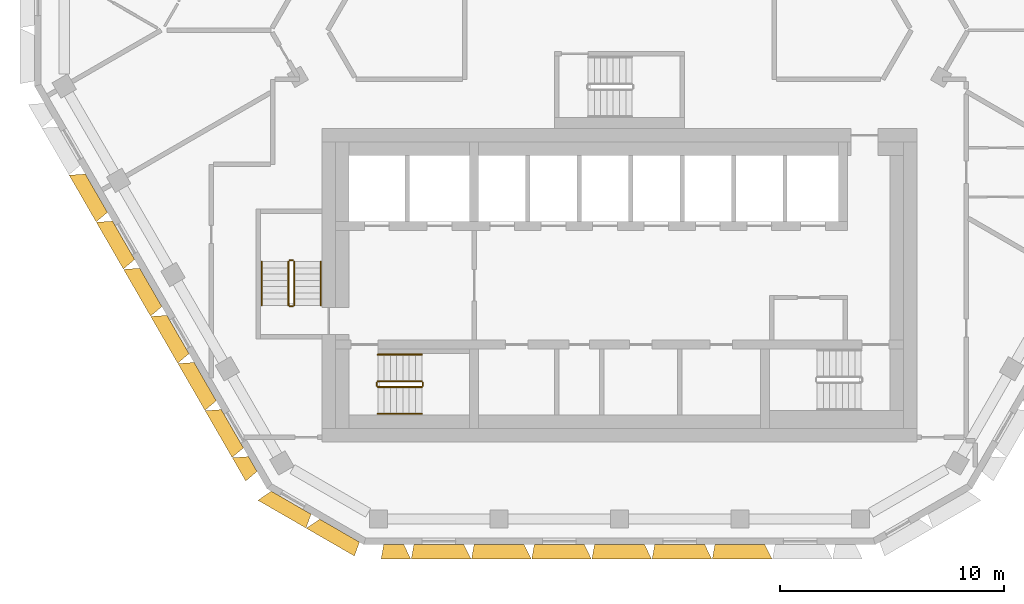
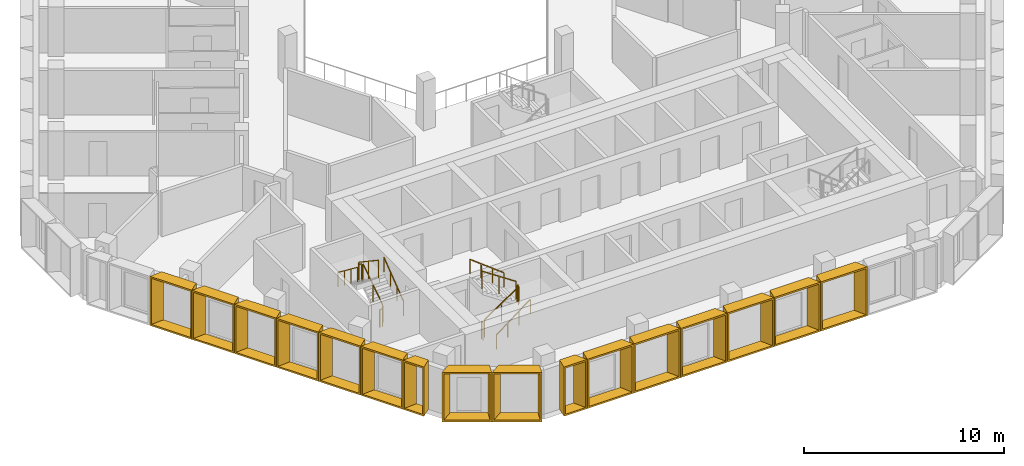
# One storey, part 11 of 15: 16 shading devices, 12 railings.
"""IFC4 building model written with IfcOpenShell, lengths in metres."""

from ifc_helpers import new_model, entity, si_unit, direction, frame, origin, origin_2d, place, context, subcontext, project, spatial, rectangle, extrude, source, transform, mapped, material, type_object, type_shapes, element, save


model = new_model("IFC4")

# Units and contexts
model_context = context("Model", 3, precision=1e-05, world=origin(), true_north=direction((0.0, 1.0)))
body_context = subcontext(model_context, "Body", "Model", "MODEL_VIEW")
ifc_project = project(units=[si_unit("LENGTHUNIT", "METRE"), si_unit("AREAUNIT", "SQUARE_METRE"), si_unit("VOLUMEUNIT", "CUBIC_METRE"), si_unit("PLANEANGLEUNIT", "RADIAN"), si_unit("MASSUNIT", "GRAM", prefix="KILO")], contexts=[model_context])

# Site, building, storey
site_placement = place(None, origin())
site = spatial("IfcSite", under=ifc_project, at=site_placement, CompositionType="ELEMENT")
building_placement = place(site_placement, origin())
building = spatial("IfcBuilding", under=site, at=building_placement, Name="Beryl Residences", CompositionType="ELEMENT")
storey_placement = place(building_placement, frame((0.0, 0.0, 163.199951171875)))
storey = spatial("IfcBuildingStorey", under=building, at=storey_placement, Name="L49", CompositionType="ELEMENT", Elevation=163.199951171875)

# Shading devices
ifc_material_1 = material(Name="Aluminium pale anodised", Category="aluminium")
shading_device_type_1 = type_object("IfcShadingDeviceType", Name="FR122-65B OUTER SKIN frame 650 mm deep, splay 26/10 deg, 1220 x 3000 mm cell", PredefinedType="USERDEFINED", material=ifc_material_1)
cartesian_point_1 = entity("IfcCartesianPoint", [-0.384033203125, 0.0])
cartesian_point_2 = entity("IfcCartesianPoint", [-0.294921875, 0.10009765625])
cartesian_point_3 = entity("IfcCartesianPoint", [-0.700927734375, 0.0])
cartesian_point_4 = entity("IfcCartesianPoint", [-0.612060546875, 0.10009765625])
shared_shape_1 = source(origin(), body_context, "Body", "SweptSolid", [
    entity("IfcExtrudedAreaSolidTapered", entity("IfcArbitraryProfileDefWithVoids", "AREA", None, entity("IfcPolyline", [cartesian_point_1, entity("IfcCartesianPoint", [0.384033203125, 0.0]), entity("IfcCartesianPoint", [0.384033203125, 3.0]), entity("IfcCartesianPoint", [-0.384033203125, 3.0]), cartesian_point_1]), [entity("IfcPolyline", [cartesian_point_2, entity("IfcCartesianPoint", [0.302734375, 0.10009765625]), entity("IfcCartesianPoint", [0.302734375, 2.89990234375]), entity("IfcCartesianPoint", [-0.294921875, 2.89990234375]), cartesian_point_2])]), entity("IfcAxis2Placement3D", entity("IfcCartesianPoint", [0.0, 0.0, 0.0]), entity("IfcDirection", [0.0, 1.0, 0.0]), entity("IfcDirection", [-1.0, 0.0, 0.0])), entity("IfcDirection", [0.0, 0.0, 1.0]), 0.64990234375, entity("IfcArbitraryProfileDefWithVoids", "AREA", None, entity("IfcPolyline", [cartesian_point_3, entity("IfcCartesianPoint", [0.49853515625, 0.0]), entity("IfcCartesianPoint", [0.49853515625, 3.0]), entity("IfcCartesianPoint", [-0.700927734375, 3.0]), cartesian_point_3]), [entity("IfcPolyline", [cartesian_point_4, entity("IfcCartesianPoint", [0.41748046875, 0.10009765625]), entity("IfcCartesianPoint", [0.41748046875, 2.89990234375]), entity("IfcCartesianPoint", [-0.612060546875, 2.89990234375]), cartesian_point_4])])),
])
type_shapes(shading_device_type_1, [shared_shape_1])
shading_device_1_placement = place(storey_placement, frame((-16.39794921875, -19.9970703125, 0.0), z_axis=(0.0, 0.0, 1.0), x_axis=(-0.5, 0.866025403784, 0.0)))
element("IfcShadingDevice", 1, at=shading_device_1_placement, inside=storey, type_object=shading_device_type_1, Name="FR122-65B frame L49 SW 9", ObjectType="OUTER SKIN", PredefinedType="USERDEFINED", context=body_context, shape_type="MappedRepresentation", body=[
    mapped(shared_shape_1, transform((0.0, 0.0, 0.0))),
])
ifc_material_2 = material(Name="Aluminium pale anodised", Category="aluminium")
shading_device_type_2 = type_object("IfcShadingDeviceType", Name="FR135-65C OUTER SKIN frame 650 mm deep, splay 10/26 deg, 1350 x 3000 mm cell", PredefinedType="USERDEFINED", material=ifc_material_2)
cartesian_point_5 = entity("IfcCartesianPoint", [-0.448974609375, 0.0])
cartesian_point_6 = entity("IfcCartesianPoint", [-0.36767578125, 0.10009765625])
cartesian_point_7 = entity("IfcCartesianPoint", [-0.563720703125, 0.0])
cartesian_point_8 = entity("IfcCartesianPoint", [-0.482421875, 0.10009765625])
shared_shape_2 = source(origin(), body_context, "Body", "SweptSolid", [
    entity("IfcExtrudedAreaSolidTapered", entity("IfcArbitraryProfileDefWithVoids", "AREA", None, entity("IfcPolyline", [cartesian_point_5, entity("IfcCartesianPoint", [0.448974609375, 0.0]), entity("IfcCartesianPoint", [0.448974609375, 3.0]), entity("IfcCartesianPoint", [-0.448974609375, 3.0]), cartesian_point_5]), [entity("IfcPolyline", [cartesian_point_6, entity("IfcCartesianPoint", [0.360107421875, 0.10009765625]), entity("IfcCartesianPoint", [0.360107421875, 2.89990234375]), entity("IfcCartesianPoint", [-0.36767578125, 2.89990234375]), cartesian_point_6])]), entity("IfcAxis2Placement3D", entity("IfcCartesianPoint", [0.0, 0.0, 0.0]), entity("IfcDirection", [0.0, 1.0, 0.0]), entity("IfcDirection", [-1.0, 0.0, 0.0])), entity("IfcDirection", [0.0, 0.0, 1.0]), 0.64990234375, entity("IfcArbitraryProfileDefWithVoids", "AREA", None, entity("IfcPolyline", [cartesian_point_7, entity("IfcCartesianPoint", [0.76611328125, 0.0]), entity("IfcCartesianPoint", [0.76611328125, 3.0]), entity("IfcCartesianPoint", [-0.563720703125, 3.0]), cartesian_point_7]), [entity("IfcPolyline", [cartesian_point_8, entity("IfcCartesianPoint", [0.677001953125, 0.10009765625]), entity("IfcCartesianPoint", [0.677001953125, 2.89990234375]), entity("IfcCartesianPoint", [-0.482421875, 2.89990234375]), cartesian_point_8])])),
])
type_shapes(shading_device_type_2, [shared_shape_2])
shading_device_2_placement = place(storey_placement, frame((-10.093994140625, -23.60009765625, 0.0), z_axis=(0.0, 0.0, 1.0), x_axis=(-1.0, 0.0, 0.0)))
element("IfcShadingDevice", 2, at=shading_device_2_placement, inside=storey, type_object=shading_device_type_2, Name="FR135-65C frame L49 S 1", ObjectType="OUTER SKIN", PredefinedType="USERDEFINED", context=body_context, shape_type="MappedRepresentation", body=[
    mapped(shared_shape_2, transform((0.0, 0.0, 0.0))),
])
ifc_material_3 = material(Name="Aluminium pale anodised", Category="aluminium")
shading_device_type_3 = type_object("IfcShadingDeviceType", Name="FR243-65B OUTER SKIN frame 650 mm deep, splay 26/10 deg, 2430 x 3000 mm cell", PredefinedType="USERDEFINED", material=ifc_material_3)
cartesian_point_9 = entity("IfcCartesianPoint", [-0.989013671875, 0.0])
cartesian_point_10 = entity("IfcCartesianPoint", [-0.89990234375, 0.10009765625])
cartesian_point_11 = entity("IfcCartesianPoint", [-1.305908203125, 0.0])
cartesian_point_12 = entity("IfcCartesianPoint", [-1.217041015625, 0.10009765625])
shared_shape_3 = source(origin(), body_context, "Body", "SweptSolid", [
    entity("IfcExtrudedAreaSolidTapered", entity("IfcArbitraryProfileDefWithVoids", "AREA", None, entity("IfcPolyline", [cartesian_point_9, entity("IfcCartesianPoint", [0.989013671875, 0.0]), entity("IfcCartesianPoint", [0.989013671875, 3.0]), entity("IfcCartesianPoint", [-0.989013671875, 3.0]), cartesian_point_9]), [entity("IfcPolyline", [cartesian_point_10, entity("IfcCartesianPoint", [0.90771484375, 0.10009765625]), entity("IfcCartesianPoint", [0.90771484375, 2.89990234375]), entity("IfcCartesianPoint", [-0.89990234375, 2.89990234375]), cartesian_point_10])]), entity("IfcAxis2Placement3D", entity("IfcCartesianPoint", [0.0, 0.0, 0.0]), entity("IfcDirection", [0.0, 1.0, 0.0]), entity("IfcDirection", [-1.0, 0.0, 0.0])), entity("IfcDirection", [0.0, 0.0, 1.0]), 0.64990234375, entity("IfcArbitraryProfileDefWithVoids", "AREA", None, entity("IfcPolyline", [cartesian_point_11, entity("IfcCartesianPoint", [1.103515625, 0.0]), entity("IfcCartesianPoint", [1.103515625, 3.0]), entity("IfcCartesianPoint", [-1.305908203125, 3.0]), cartesian_point_11]), [entity("IfcPolyline", [cartesian_point_12, entity("IfcCartesianPoint", [1.0224609375, 0.10009765625]), entity("IfcCartesianPoint", [1.0224609375, 2.89990234375]), entity("IfcCartesianPoint", [-1.217041015625, 2.89990234375]), cartesian_point_12])])),
])
type_shapes(shading_device_type_3, [shared_shape_3])
for number, where, z_axis, x_axis, name in (
    (3, (-23.388916015625, -7.886962890625, 0.0), (0.0, 0.0, 1.0), (-0.5, 0.866025403784, 0.0), "FR243-65B frame L49 SW 3"),
    (4, (-22.173095703125, -9.992919921875, 0.0), (0.0, 0.0, 1.0), (-0.5, 0.866025403784, 0.0), "FR243-65B frame L49 SW 4"),
    (5, (-20.95703125, -12.09912109375, 0.0), (0.0, 0.0, 1.0), (-0.5, 0.866025403784, 0.0), "FR243-65B frame L49 SW 5"),
    (6, (-19.741943359375, -14.205078125, 0.0), (0.0, 0.0, 1.0), (-0.5, 0.866025403784, 0.0), "FR243-65B frame L49 SW 6"),
    (7, (-18.52587890625, -16.31103515625, 0.0), (0.0, 0.0, 1.0), (-0.5, 0.866025403784, 0.0), "FR243-65B frame L49 SW 7"),
    (8, (-17.31005859375, -18.41796875, 0.0), (0.0, 0.0, 1.0), (-0.5, 0.866025403784, 0.0), "FR243-65B frame L49 SW 8"),
):
    element("IfcShadingDevice", number, at=place(storey_placement, frame(where, z_axis=z_axis, x_axis=x_axis)), inside=storey, type_object=shading_device_type_3, Name=name, ObjectType="OUTER SKIN", PredefinedType="USERDEFINED", context=body_context, shape_type="MappedRepresentation", body=[
        mapped(shared_shape_3, transform((0.0, 0.0, 0.0))),
    ])
ifc_material_4 = material(Name="Aluminium pale anodised", Category="aluminium")
shading_device_type_4 = type_object("IfcShadingDeviceType", Name="FR250-65B OUTER SKIN frame 650 mm deep, splay 26/10 deg, 2500 x 3000 mm cell", PredefinedType="USERDEFINED", material=ifc_material_4)
cartesian_point_13 = entity("IfcCartesianPoint", [-1.02392578125, 0.0])
cartesian_point_14 = entity("IfcCartesianPoint", [-0.93505859375, 0.10009765625])
cartesian_point_15 = entity("IfcCartesianPoint", [-1.341064453125, 0.0])
cartesian_point_16 = entity("IfcCartesianPoint", [-1.251953125, 0.10009765625])
shared_shape_4 = source(origin(), body_context, "Body", "SweptSolid", [
    entity("IfcExtrudedAreaSolidTapered", entity("IfcArbitraryProfileDefWithVoids", "AREA", None, entity("IfcPolyline", [cartesian_point_13, entity("IfcCartesianPoint", [1.02392578125, 0.0]), entity("IfcCartesianPoint", [1.02392578125, 3.0]), entity("IfcCartesianPoint", [-1.02392578125, 3.0]), cartesian_point_13]), [entity("IfcPolyline", [cartesian_point_14, entity("IfcCartesianPoint", [0.94287109375, 0.10009765625]), entity("IfcCartesianPoint", [0.94287109375, 2.89990234375]), entity("IfcCartesianPoint", [-0.93505859375, 2.89990234375]), cartesian_point_14])]), entity("IfcAxis2Placement3D", entity("IfcCartesianPoint", [0.0, 0.0, 0.0]), entity("IfcDirection", [0.0, 1.0, 0.0]), entity("IfcDirection", [-1.0, 0.0, 0.0])), entity("IfcDirection", [0.0, 0.0, 1.0]), 0.64990234375, entity("IfcArbitraryProfileDefWithVoids", "AREA", None, entity("IfcPolyline", [cartesian_point_15, entity("IfcCartesianPoint", [1.138671875, 0.0]), entity("IfcCartesianPoint", [1.138671875, 3.0]), entity("IfcCartesianPoint", [-1.341064453125, 3.0]), cartesian_point_15]), [entity("IfcPolyline", [cartesian_point_16, entity("IfcCartesianPoint", [1.057373046875, 0.10009765625]), entity("IfcCartesianPoint", [1.057373046875, 2.89990234375]), entity("IfcCartesianPoint", [-1.251953125, 2.89990234375]), cartesian_point_16])])),
])
type_shapes(shading_device_type_4, [shared_shape_4])
for number, where, z_axis, x_axis, name in (
    (9, (-14.677978515625, -21.72509765625, 0.0), (0.0, 0.0, 1.0), (-0.866025403784, 0.5, 0.0), "FR250-65B frame L49 SW-S 1"),
    (10, (-12.513916015625, -22.97509765625, 0.0), (0.0, 0.0, 1.0), (-0.866025403784, 0.5, 0.0), "FR250-65B frame L49 SW-S 2"),
):
    element("IfcShadingDevice", number, at=place(storey_placement, frame(where, z_axis=z_axis, x_axis=x_axis)), inside=storey, type_object=shading_device_type_4, Name=name, ObjectType="OUTER SKIN", PredefinedType="USERDEFINED", context=body_context, shape_type="MappedRepresentation", body=[
        mapped(shared_shape_4, transform((0.0, 0.0, 0.0))),
    ])
ifc_material_5 = material(Name="Aluminium pale anodised", Category="aluminium")
shading_device_type_5 = type_object("IfcShadingDeviceType", Name="FR269-65C OUTER SKIN frame 650 mm deep, splay 10/26 deg, 2690 x 3000 mm cell", PredefinedType="USERDEFINED", material=ifc_material_5)
cartesian_point_17 = entity("IfcCartesianPoint", [-1.118896484375, 0.0])
cartesian_point_18 = entity("IfcCartesianPoint", [-1.037841796875, 0.10009765625])
cartesian_point_19 = entity("IfcCartesianPoint", [-1.233642578125, 0.0])
cartesian_point_20 = entity("IfcCartesianPoint", [-1.15234375, 0.10009765625])
shared_shape_5 = source(origin(), body_context, "Body", "SweptSolid", [
    entity("IfcExtrudedAreaSolidTapered", entity("IfcArbitraryProfileDefWithVoids", "AREA", None, entity("IfcPolyline", [cartesian_point_17, entity("IfcCartesianPoint", [1.118896484375, 0.0]), entity("IfcCartesianPoint", [1.118896484375, 3.0]), entity("IfcCartesianPoint", [-1.118896484375, 3.0]), cartesian_point_17]), [entity("IfcPolyline", [cartesian_point_18, entity("IfcCartesianPoint", [1.030029296875, 0.10009765625]), entity("IfcCartesianPoint", [1.030029296875, 2.89990234375]), entity("IfcCartesianPoint", [-1.037841796875, 2.89990234375]), cartesian_point_18])]), entity("IfcAxis2Placement3D", entity("IfcCartesianPoint", [0.0, 0.0, 0.0]), entity("IfcDirection", [0.0, 1.0, 0.0]), entity("IfcDirection", [-1.0, 0.0, 0.0])), entity("IfcDirection", [0.0, 0.0, 1.0]), 0.64990234375, entity("IfcArbitraryProfileDefWithVoids", "AREA", None, entity("IfcPolyline", [cartesian_point_19, entity("IfcCartesianPoint", [1.43603515625, 0.0]), entity("IfcCartesianPoint", [1.43603515625, 3.0]), entity("IfcCartesianPoint", [-1.233642578125, 3.0]), cartesian_point_19]), [entity("IfcPolyline", [cartesian_point_20, entity("IfcCartesianPoint", [1.346923828125, 0.10009765625]), entity("IfcCartesianPoint", [1.346923828125, 2.89990234375]), entity("IfcCartesianPoint", [-1.15234375, 2.89990234375]), cartesian_point_20])])),
])
type_shapes(shading_device_type_5, [shared_shape_5])
for number, where, z_axis, x_axis, name in (
    (11, (-8.074951171875, -23.60009765625, 0.0), (0.0, 0.0, 1.0), (-1.0, 0.0, 0.0), "FR269-65C frame L49 S 2"),
    (12, (-5.383056640625, -23.60009765625, 0.0), (0.0, 0.0, 1.0), (-1.0, 0.0, 0.0), "FR269-65C frame L49 S 3"),
    (13, (-2.69091796875, -23.60009765625, 0.0), (0.0, 0.0, 1.0), (-1.0, 0.0, 0.0), "FR269-65C frame L49 S 4"),
    (14, (0.0009765625, -23.60009765625, 0.0), (0.0, 0.0, 1.0), (-1.0, 0.0, 0.0), "FR269-65C frame L49 S 5"),
    (15, (2.693115234375, -23.60009765625, 0.0), (0.0, 0.0, 1.0), (-1.0, 0.0, 0.0), "FR269-65C frame L49 S 6"),
    (16, (5.385009765625, -23.60009765625, 0.0), (0.0, 0.0, 1.0), (-1.0, 0.0, 0.0), "FR269-65C frame L49 S 7"),
):
    element("IfcShadingDevice", number, at=place(storey_placement, frame(where, z_axis=z_axis, x_axis=x_axis)), inside=storey, type_object=shading_device_type_5, Name=name, ObjectType="OUTER SKIN", PredefinedType="USERDEFINED", context=body_context, shape_type="MappedRepresentation", body=[
        mapped(shared_shape_5, transform((0.0, 0.0, 0.0))),
    ])

# Railings
ifc_material_6 = material(Name="Stainless steel balustrade with glass infill", Category="steel")
railing_type_1 = type_object("IfcRailingType", Name="SG1 stair guard 1100 mm", PredefinedType="GUARDRAIL", material=ifc_material_6)
railing_1_placement = place(storey_placement, frame((-10.800048828125, -16.550048828125, 0.1875)))
element("IfcRailing", 17, at=railing_1_placement, inside=storey, type_object=railing_type_1, Name="L49 ST-1 stair guard 1", PredefinedType="GUARDRAIL", context=body_context, shape_type="SweptSolid", body=[
    extrude(rectangle(XDim=0.048095703125, YDim=0.048095703125, at=origin_2d()), frame((0.0, 0.0, 1.076171875), z_axis=(0.830902050051, 0.0, 0.556418712142), x_axis=(0.0, 1.0, 0.0)), (0.0, 0.0, 1.0), 2.35888671875),
    extrude(rectangle(XDim=0.0419921875, YDim=0.0419921875, at=origin_2d()), origin(), (0.0, 0.0, 1.0), 1.052001953125),
    extrude(rectangle(XDim=0.0419921875, YDim=0.0419921875, at=origin_2d()), frame((0.97998046875, 0.0, 0.65625)), (0.0, 0.0, 1.0), 1.052001953125),
    extrude(rectangle(XDim=0.0419921875, YDim=0.0419921875, at=origin_2d()), frame((1.9599609375, 0.0, 1.3125)), (0.0, 0.0, 1.0), 1.052001953125),
])
railing_2_placement = place(storey_placement, frame((-8.7900390625, -16.5, 1.5)))
element("IfcRailing", 18, at=railing_2_placement, inside=storey, type_object=railing_type_1, Name="L49 ST-1 stair guard 2", PredefinedType="GUARDRAIL", context=body_context, shape_type="SweptSolid", body=[
    extrude(rectangle(XDim=0.048095703125, YDim=0.048095703125, at=origin_2d()), frame((0.0, 0.0, 1.076171875), z_axis=(0.0, 1.0, 0.0), x_axis=(-1.0, 0.0, 0.0)), (0.0, 0.0, 1.0), 0.14990234375),
    extrude(rectangle(XDim=0.0419921875, YDim=0.0419921875, at=origin_2d()), origin(), (0.0, 0.0, 1.0), 1.052001953125),
    extrude(rectangle(XDim=0.0419921875, YDim=0.0419921875, at=origin_2d()), frame((0.0, 0.14990234375, 0.0)), (0.0, 0.0, 1.0), 1.052001953125),
])
railing_3_placement = place(storey_placement, frame((-8.840087890625, -16.300048828125, 1.6875)))
element("IfcRailing", 19, at=railing_3_placement, inside=storey, type_object=railing_type_1, Name="L49 ST-1 stair guard 3", PredefinedType="GUARDRAIL", context=body_context, shape_type="SweptSolid", body=[
    extrude(rectangle(XDim=0.048095703125, YDim=0.048095703125, at=origin_2d()), frame((0.0, 0.0, 1.076171875), z_axis=(-0.830902050051, 0.0, 0.556418712142), x_axis=(0.0, -1.0, 0.0)), (0.0, 0.0, 1.0), 2.35888671875),
    extrude(rectangle(XDim=0.0419921875, YDim=0.0419921875, at=origin_2d()), origin(), (0.0, 0.0, 1.0), 1.052001953125),
    extrude(rectangle(XDim=0.0419921875, YDim=0.0419921875, at=origin_2d()), frame((-0.97998046875, 0.0, 0.65625)), (0.0, 0.0, 1.0), 1.052001953125),
    extrude(rectangle(XDim=0.0419921875, YDim=0.0419921875, at=origin_2d()), frame((-1.9599609375, 0.0, 1.3125)), (0.0, 0.0, 1.0), 1.052001953125),
])
railing_4_placement = place(storey_placement, frame((-10.85009765625, -16.5, 0.0)))
element("IfcRailing", 20, at=railing_4_placement, inside=storey, type_object=railing_type_1, Name="L49 ST-1 stair guard 4", PredefinedType="GUARDRAIL", context=body_context, shape_type="SweptSolid", body=[
    extrude(rectangle(XDim=0.048095703125, YDim=0.048095703125, at=origin_2d()), frame((0.0, 0.0, 1.076171875), z_axis=(0.0, 1.0, 0.0), x_axis=(-1.0, 0.0, 0.0)), (0.0, 0.0, 1.0), 0.14990234375),
    extrude(rectangle(XDim=0.0419921875, YDim=0.0419921875, at=origin_2d()), origin(), (0.0, 0.0, 1.0), 1.052001953125),
    extrude(rectangle(XDim=0.0419921875, YDim=0.0419921875, at=origin_2d()), frame((0.0, 0.14990234375, 0.0)), (0.0, 0.0, 1.0), 1.052001953125),
])
railing_5_placement = place(storey_placement, frame((-14.550048828125, -12.89990234375, 0.1875)))
element("IfcRailing", 21, at=railing_5_placement, inside=storey, type_object=railing_type_1, Name="L49 ST-2 stair guard 1", PredefinedType="GUARDRAIL", context=body_context, shape_type="SweptSolid", body=[
    extrude(rectangle(XDim=0.048095703125, YDim=0.048095703125, at=origin_2d()), frame((0.0, 0.0, 1.076171875), z_axis=(0.0, 0.830902050051, 0.556418712142), x_axis=(-1.0, 0.0, 0.0)), (0.0, 0.0, 1.0), 2.35888671875),
    extrude(rectangle(XDim=0.0419921875, YDim=0.0419921875, at=origin_2d()), origin(), (0.0, 0.0, 1.0), 1.052001953125),
    extrude(rectangle(XDim=0.0419921875, YDim=0.0419921875, at=origin_2d()), frame((0.0, 0.97998046875, 0.65625)), (0.0, 0.0, 1.0), 1.052001953125),
    extrude(rectangle(XDim=0.0419921875, YDim=0.0419921875, at=origin_2d()), frame((0.0, 1.9599609375, 1.3125)), (0.0, 0.0, 1.0), 1.052001953125),
])
railing_6_placement = place(storey_placement, frame((-14.60009765625, -10.889892578125, 1.5)))
element("IfcRailing", 22, at=railing_6_placement, inside=storey, type_object=railing_type_1, Name="L49 ST-2 stair guard 2", PredefinedType="GUARDRAIL", context=body_context, shape_type="SweptSolid", body=[
    extrude(rectangle(XDim=0.048095703125, YDim=0.048095703125, at=origin_2d()), frame((0.0, 0.0, 1.076171875), z_axis=(-1.0, 0.0, 0.0), x_axis=(0.0, -1.0, 0.0)), (0.0, 0.0, 1.0), 0.14990234375),
    extrude(rectangle(XDim=0.0419921875, YDim=0.0419921875, at=origin_2d()), origin(), (0.0, 0.0, 1.0), 1.052001953125),
    extrude(rectangle(XDim=0.0419921875, YDim=0.0419921875, at=origin_2d()), frame((-0.14990234375, 0.0, 0.0)), (0.0, 0.0, 1.0), 1.052001953125),
])
railing_7_placement = place(storey_placement, frame((-14.800048828125, -10.93994140625, 1.6875)))
element("IfcRailing", 23, at=railing_7_placement, inside=storey, type_object=railing_type_1, Name="L49 ST-2 stair guard 3", PredefinedType="GUARDRAIL", context=body_context, shape_type="SweptSolid", body=[
    extrude(rectangle(XDim=0.048095703125, YDim=0.048095703125, at=origin_2d()), frame((0.0, 0.0, 1.076171875), z_axis=(0.0, -0.830902050051, 0.556418712142), x_axis=(1.0, 0.0, 0.0)), (0.0, 0.0, 1.0), 2.35888671875),
    extrude(rectangle(XDim=0.0419921875, YDim=0.0419921875, at=origin_2d()), origin(), (0.0, 0.0, 1.0), 1.052001953125),
    extrude(rectangle(XDim=0.0419921875, YDim=0.0419921875, at=origin_2d()), frame((0.0, -0.97998046875, 0.65625)), (0.0, 0.0, 1.0), 1.052001953125),
    extrude(rectangle(XDim=0.0419921875, YDim=0.0419921875, at=origin_2d()), frame((0.0, -1.9599609375, 1.3125)), (0.0, 0.0, 1.0), 1.052001953125),
])
railing_8_placement = place(storey_placement, frame((-14.60009765625, -12.949951171875, 0.0)))
element("IfcRailing", 24, at=railing_8_placement, inside=storey, type_object=railing_type_1, Name="L49 ST-2 stair guard 4", PredefinedType="GUARDRAIL", context=body_context, shape_type="SweptSolid", body=[
    extrude(rectangle(XDim=0.048095703125, YDim=0.048095703125, at=origin_2d()), frame((0.0, 0.0, 1.076171875), z_axis=(-1.0, 0.0, 0.0), x_axis=(0.0, -1.0, 0.0)), (0.0, 0.0, 1.0), 0.14990234375),
    extrude(rectangle(XDim=0.0419921875, YDim=0.0419921875, at=origin_2d()), origin(), (0.0, 0.0, 1.0), 1.052001953125),
    extrude(rectangle(XDim=0.0419921875, YDim=0.0419921875, at=origin_2d()), frame((-0.14990234375, 0.0, 0.0)), (0.0, 0.0, 1.0), 1.052001953125),
])
ifc_material_7 = material(Name="Stainless steel handrail", Category="steel")
railing_type_2 = type_object("IfcRailingType", Name="SRL1 stair handrail 900 mm", PredefinedType="HANDRAIL", material=ifc_material_7)
railing_9_placement = place(storey_placement, frame((-10.800048828125, -17.75, 0.1875)))
element("IfcRailing", 25, at=railing_9_placement, inside=storey, type_object=railing_type_2, Name="L49 ST-1 stair handrail 1", PredefinedType="HANDRAIL", context=body_context, shape_type="SweptSolid", body=[
    extrude(rectangle(XDim=0.048095703125, YDim=0.048095703125, at=origin_2d()), frame((0.0, 0.0, 0.8759765625), z_axis=(0.794121922505, 0.0, 0.607758481798), x_axis=(0.0, 1.0, 0.0)), (0.0, 0.0, 1.0), 2.468017578125),
    extrude(rectangle(XDim=0.0419921875, YDim=0.0419921875, at=origin_2d()), origin(), (0.0, 0.0, 1.0), 0.851806640625),
    extrude(rectangle(XDim=0.0419921875, YDim=0.0419921875, at=origin_2d()), frame((0.6533203125, 0.0, 0.5)), (0.0, 0.0, 1.0), 0.851806640625),
    extrude(rectangle(XDim=0.0419921875, YDim=0.0419921875, at=origin_2d()), frame((1.306640625, 0.0, 1.0)), (0.0, 0.0, 1.0), 0.851806640625),
    extrude(rectangle(XDim=0.0419921875, YDim=0.0419921875, at=origin_2d()), frame((1.9599609375, 0.0, 1.5)), (0.0, 0.0, 1.0), 0.851806640625),
])
railing_10_placement = place(storey_placement, frame((-8.840087890625, -15.10009765625, 1.6875)))
element("IfcRailing", 26, at=railing_10_placement, inside=storey, type_object=railing_type_2, Name="L49 ST-1 stair handrail 2", PredefinedType="HANDRAIL", context=body_context, shape_type="SweptSolid", body=[
    extrude(rectangle(XDim=0.048095703125, YDim=0.048095703125, at=origin_2d()), frame((0.0, 0.0, 0.8759765625), z_axis=(-0.794121922505, 0.0, 0.607758481798), x_axis=(0.0, -1.0, 0.0)), (0.0, 0.0, 1.0), 2.468017578125),
    extrude(rectangle(XDim=0.0419921875, YDim=0.0419921875, at=origin_2d()), origin(), (0.0, 0.0, 1.0), 0.851806640625),
    extrude(rectangle(XDim=0.0419921875, YDim=0.0419921875, at=origin_2d()), frame((-0.6533203125, 0.0, 0.5)), (0.0, 0.0, 1.0), 0.851806640625),
    extrude(rectangle(XDim=0.0419921875, YDim=0.0419921875, at=origin_2d()), frame((-1.306640625, 0.0, 1.0)), (0.0, 0.0, 1.0), 0.851806640625),
    extrude(rectangle(XDim=0.0419921875, YDim=0.0419921875, at=origin_2d()), frame((-1.9599609375, 0.0, 1.5)), (0.0, 0.0, 1.0), 0.851806640625),
])
railing_11_placement = place(storey_placement, frame((-13.35009765625, -12.89990234375, 0.1875)))
element("IfcRailing", 27, at=railing_11_placement, inside=storey, type_object=railing_type_2, Name="L49 ST-2 stair handrail 1", PredefinedType="HANDRAIL", context=body_context, shape_type="SweptSolid", body=[
    extrude(rectangle(XDim=0.048095703125, YDim=0.048095703125, at=origin_2d()), frame((0.0, 0.0, 0.8759765625), z_axis=(0.0, 0.794121922505, 0.607758481798), x_axis=(-1.0, 0.0, 0.0)), (0.0, 0.0, 1.0), 2.468017578125),
    extrude(rectangle(XDim=0.0419921875, YDim=0.0419921875, at=origin_2d()), origin(), (0.0, 0.0, 1.0), 0.851806640625),
    extrude(rectangle(XDim=0.0419921875, YDim=0.0419921875, at=origin_2d()), frame((0.0, 0.6533203125, 0.5)), (0.0, 0.0, 1.0), 0.851806640625),
    extrude(rectangle(XDim=0.0419921875, YDim=0.0419921875, at=origin_2d()), frame((0.0, 1.306640625, 1.0)), (0.0, 0.0, 1.0), 0.851806640625),
    extrude(rectangle(XDim=0.0419921875, YDim=0.0419921875, at=origin_2d()), frame((0.0, 1.9599609375, 1.5)), (0.0, 0.0, 1.0), 0.851806640625),
])
railing_12_placement = place(storey_placement, frame((-16.0, -10.93994140625, 1.6875)))
element("IfcRailing", 28, at=railing_12_placement, inside=storey, type_object=railing_type_2, Name="L49 ST-2 stair handrail 2", PredefinedType="HANDRAIL", context=body_context, shape_type="SweptSolid", body=[
    extrude(rectangle(XDim=0.048095703125, YDim=0.048095703125, at=origin_2d()), frame((0.0, 0.0, 0.8759765625), z_axis=(0.0, -0.794121922505, 0.607758481798), x_axis=(1.0, 0.0, 0.0)), (0.0, 0.0, 1.0), 2.468017578125),
    extrude(rectangle(XDim=0.0419921875, YDim=0.0419921875, at=origin_2d()), origin(), (0.0, 0.0, 1.0), 0.851806640625),
    extrude(rectangle(XDim=0.0419921875, YDim=0.0419921875, at=origin_2d()), frame((0.0, -0.6533203125, 0.5)), (0.0, 0.0, 1.0), 0.851806640625),
    extrude(rectangle(XDim=0.0419921875, YDim=0.0419921875, at=origin_2d()), frame((0.0, -1.306640625, 1.0)), (0.0, 0.0, 1.0), 0.851806640625),
    extrude(rectangle(XDim=0.0419921875, YDim=0.0419921875, at=origin_2d()), frame((0.0, -1.9599609375, 1.5)), (0.0, 0.0, 1.0), 0.851806640625),
])

save(model, "model.ifc")
